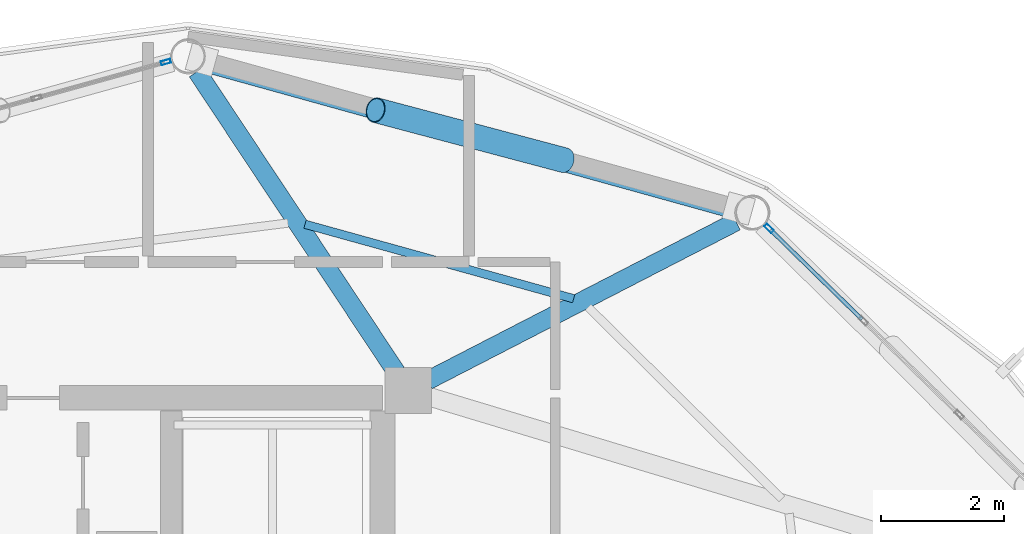
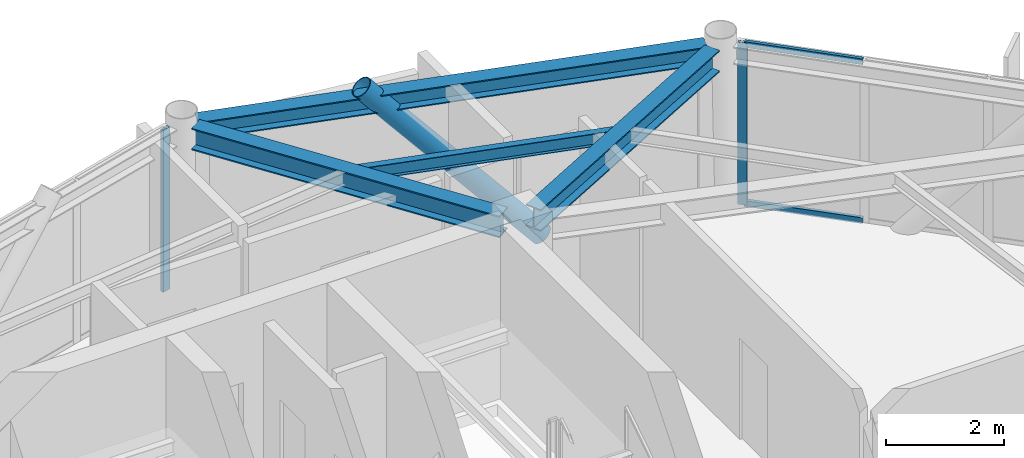
# One storey, part 18 of 25: 5 members, 4 beams, 2 elements without a shape of their own.
"""IFC4 building model written with IfcOpenShell, lengths in metres."""

from ifc_helpers import new_model, si_unit, direction, frame, origin, origin_2d, place, context, subcontext, project, spatial, hollow_rectangle, hollow_circle, i_section, extrude, material, layer, layer_set, material_profile, profile_set, type_object, element, aggregate, save


model = new_model("IFC4")

# Units and contexts
model_context = context("Model", 3, precision=1e-05, world=origin(), true_north=direction((0.0, 1.0)))
body_context = subcontext(model_context, "Body", "Model", "MODEL_VIEW")
ifc_project = project(units=[si_unit("LENGTHUNIT", "METRE"), si_unit("AREAUNIT", "SQUARE_METRE"), si_unit("VOLUMEUNIT", "CUBIC_METRE"), si_unit("PLANEANGLEUNIT", "RADIAN"), si_unit("MASSUNIT", "GRAM", prefix="KILO")], contexts=[model_context])

# Site, building, storey
site_placement = place(None, origin())
site = spatial("IfcSite", under=ifc_project, at=site_placement, CompositionType="ELEMENT")
building_placement = place(site_placement, origin())
building = spatial("IfcBuilding", under=site, at=building_placement, Name="Varnakorn Sky Granary", CompositionType="ELEMENT")
storey_placement = place(building_placement, frame((0.0, 0.0, 252.60009765625)))
storey = spatial("IfcBuildingStorey", under=building, at=storey_placement, Name="L64", CompositionType="ELEMENT", Elevation=252.60009765625)

# Beams
ifc_material_1 = material(Name="Steel S355JR", Category="steel")
ifc_material_profile_1 = material_profile(ifc_material_1, i_section(OverallWidth=0.300048828125, OverallDepth=0.449951171875, WebThickness=0.013916015625, FlangeThickness=0.02587890625, at=origin_2d()), Name="HE 450 B")
ifc_profile_set_1 = profile_set([ifc_material_profile_1], Name="Steel S355JR")
beam_type_1 = type_object("IfcBeamType", Name="BM-RAD-Z5", PredefinedType="BEAM", material=ifc_profile_set_1)
beam_1_placement = place(storey_placement, frame((8.735595703125, 12.78271484375, 3.135009765625), z_axis=(0.888935398432, 0.458032594272, 0.0), x_axis=(-0.458032594272, 0.888935398432, 0.0)))
element("IfcBeam", 1, at=beam_1_placement, inside=storey, type_object=beam_type_1, Name="Radial Floor Girder RG03 L64", PredefinedType="BEAM", context=body_context, shape_type="SweptSolid", body=[
    extrude(i_section(OverallWidth=0.300048828125, OverallDepth=0.449951171875, WebThickness=0.013916015625, FlangeThickness=0.02587890625, at=origin_2d()), origin(), (0.0, 0.0, 1.0), 5.615478515625),
])
beam_2_placement = place(storey_placement, frame((8.223876953125, 12.916015625, 3.135009765625), z_axis=(-0.552586098669, 0.833455819799, 0.0), x_axis=(-0.833455819799, -0.552586098669, 0.0)))
element("IfcBeam", 2, at=beam_2_placement, inside=storey, type_object=beam_type_1, Name="Radial Floor Girder RG04 L64", PredefinedType="BEAM", context=body_context, shape_type="SweptSolid", body=[
    extrude(i_section(OverallWidth=0.300048828125, OverallDepth=0.449951171875, WebThickness=0.013916015625, FlangeThickness=0.02587890625, at=origin_2d()), origin(), (0.0, 0.0, 1.0), 5.84130859375),
])
ifc_material_profile_2 = material_profile(ifc_material_1, i_section(OverallWidth=0.135009765625, OverallDepth=0.27001953125, WebThickness=0.006591796875, FlangeThickness=0.01025390625, at=origin_2d()), Name="IPE 270")
ifc_profile_set_2 = profile_set([ifc_material_profile_2], Name="Steel S355JR")
beam_type_2 = type_object("IfcBeamType", Name="BM-SEC-Z5", PredefinedType="BEAM", material=ifc_profile_set_2)
beam_3_placement = place(storey_placement, frame((11.0966796875, 14.106201171875, 3.224853515625), z_axis=(-0.963648688625, 0.267172612577, 0.0), x_axis=(-0.267172612577, -0.963648688625, 0.0)))
element("IfcBeam", 3, at=beam_3_placement, inside=storey, type_object=beam_type_2, Name="Secondary Floor Chord Beam MSB03 L64", PredefinedType="BEAM", context=body_context, shape_type="SweptSolid", body=[
    extrude(i_section(OverallWidth=0.135009765625, OverallDepth=0.27001953125, WebThickness=0.006591796875, FlangeThickness=0.01025390625, at=origin_2d()), origin(), (0.0, 0.0, 1.0), 4.515869140625),
])
ifc_material_profile_3 = material_profile(ifc_material_1, i_section(OverallWidth=0.300048828125, OverallDepth=0.360107421875, WebThickness=0.012451171875, FlangeThickness=0.0224609375, at=origin_2d()), Name="HE 360 B")
ifc_profile_set_3 = profile_set([ifc_material_profile_3], Name="Steel S355JR")
beam_type_3 = type_object("IfcBeamType", Name="BM-SPD-Z5", PredefinedType="SPANDREL", material=ifc_profile_set_3)
beam_4_placement = place(storey_placement, frame((13.70751953125, 15.546630859375, 3.179931640625), z_axis=(-0.963572738625, 0.267446400946, 0.0), x_axis=(-0.267446400946, -0.963572738625, 0.0)))
element("IfcBeam", 4, at=beam_4_placement, inside=storey, type_object=beam_type_3, Name="Perimeter Spandrel Ring Beam RB03 L64", PredefinedType="SPANDREL", context=body_context, shape_type="SweptSolid", body=[
    extrude(i_section(OverallWidth=0.300048828125, OverallDepth=0.360107421875, WebThickness=0.012451171875, FlangeThickness=0.0224609375, at=origin_2d()), origin(), (0.0, 0.0, 1.0), 8.927734375),
])

# Curtain wall, member
ifc_material_2 = material(Name="Anodised Bronze Aluminium Alloy 6063-T6", Category="aluminium")
ifc_layer = layer(ifc_material_2, 0.159912109375, Name="Anodised Bronze Aluminium Alloy 6063-T6")
ifc_layer_set = layer_set([ifc_layer], Name="Anodised Bronze Aluminium Alloy 6063-T6")
curtain_wall_type = type_object("IfcCurtainWallType", Name="CW-OFF-1", PredefinedType="USERDEFINED", material=ifc_layer_set)
curtain_wall_1_placement = place(storey_placement, origin())
curtain_wall_1 = element("IfcCurtainWall", 5, at=curtain_wall_1_placement, inside=storey, type_object=curtain_wall_type, Name="Unitised Curtain Wall CW6 CW-L64-B02", ObjectType="CURTAIN WALL", PredefinedType="USERDEFINED")
ifc_material_profile_4 = material_profile(ifc_material_2, hollow_rectangle(XDim=0.06494140625, YDim=0.159912109375, WallThickness=0.00341796875, at=origin_2d()), Name="ALU MULL 65x160")
ifc_profile_set_4 = profile_set([ifc_material_profile_4], Name="Anodised Bronze Aluminium Alloy 6063-T6")
member_type_1 = type_object("IfcMemberType", Name="CW-OFF-1-MULL", PredefinedType="MULLION", material=ifc_profile_set_4)
member_1_placement = place(storey_placement, frame((14.26171875, 15.2451171875, 0.0), z_axis=(0.0, 0.0, 1.0), x_axis=(0.699482431072, 0.71464979439, 0.0)))
member_1 = element("IfcMember", 6, at=member_1_placement, type_object=member_type_1, Name="CW6 mullion 1", PredefinedType="MULLION", context=body_context, shape_type="SweptSolid", body=[
    extrude(hollow_rectangle(XDim=0.06494140625, YDim=0.159912109375, WallThickness=0.00341796875, at=origin_2d()), origin(), (0.0, 0.0, 1.0), 3.35986328125),
])

curtain_wall_2_placement = place(storey_placement, origin())
curtain_wall_2 = element("IfcCurtainWall", 7, at=curtain_wall_2_placement, inside=storey, type_object=curtain_wall_type, Name="Unitised Curtain Wall CW6 CW-L64-B04", ObjectType="CURTAIN WALL", PredefinedType="USERDEFINED")
member_2_placement = place(storey_placement, frame((4.491455078125, 17.939697265625, 0.0), z_axis=(0.0, 0.0, 1.0), x_axis=(-0.266982378942, 0.963701410881, 0.0)))
member_2 = element("IfcMember", 8, at=member_2_placement, type_object=member_type_1, Name="CW6 mullion 5", PredefinedType="MULLION", context=body_context, shape_type="SweptSolid", body=[
    extrude(hollow_rectangle(XDim=0.06494140625, YDim=0.159912109375, WallThickness=0.00341796875, at=origin_2d()), origin(), (0.0, 0.0, 1.0), 3.35986328125),
])
aggregate(curtain_wall_2, [member_2])

# Member
ifc_material_profile_5 = material_profile(ifc_material_2, hollow_rectangle(XDim=0.06494140625, YDim=0.1201171875, WallThickness=0.00341796875, at=origin_2d()), Name="ALU TRAN 65x120")
ifc_profile_set_5 = profile_set([ifc_material_profile_5], Name="Anodised Bronze Aluminium Alloy 6063-T6")
member_type_2 = type_object("IfcMemberType", Name="CW-OFF-1-TRAN", PredefinedType="USERDEFINED", material=ifc_profile_set_5)
member_3_placement = place(storey_placement, frame((14.28515625, 15.222412109375, 0.032470703125), z_axis=(0.714597426936, -0.69953593004, 0.0), x_axis=(0.69953593004, 0.714597426936, 0.0)))
member_3 = element("IfcMember", 9, at=member_3_placement, type_object=member_type_2, Name="CW6 transom 1.1", ObjectType="TRANSOM", PredefinedType="USERDEFINED", context=body_context, shape_type="SweptSolid", body=[
    extrude(hollow_rectangle(XDim=0.06494140625, YDim=0.1201171875, WallThickness=0.00341796875, at=origin_2d()), origin(), (0.0, 0.0, 1.0), 2.07470703125),
])

member_4_placement = place(storey_placement, frame((14.28515625, 15.222412109375, 3.327392578125), z_axis=(0.714597426936, -0.69953593004, 0.0), x_axis=(0.69953593004, 0.714597426936, 0.0)))
member_4 = element("IfcMember", 10, at=member_4_placement, type_object=member_type_2, Name="CW6 transom 1.2", ObjectType="TRANSOM", PredefinedType="USERDEFINED", context=body_context, shape_type="SweptSolid", body=[
    extrude(hollow_rectangle(XDim=0.06494140625, YDim=0.1201171875, WallThickness=0.00341796875, at=origin_2d()), origin(), (0.0, 0.0, 1.0), 2.07470703125),
])

aggregate(curtain_wall_1, [member_1, member_3, member_4])

ifc_material_3 = material(Name="Steel S460M", Category="steel")
ifc_material_profile_6 = material_profile(ifc_material_3, hollow_circle(Radius=0.203125, WallThickness=0.01611328125, at=origin_2d()), Name="CHS 406.4x16")
ifc_profile_set_6 = profile_set([ifc_material_profile_6], Name="Steel S460M")
member_type_3 = type_object("IfcMemberType", Name="MB-DIAG-T4", PredefinedType="BRACE", material=ifc_profile_set_6)
member_5_placement = place(storey_placement, frame((10.947265625, 16.349853515625, -0.130126953125), z_axis=(-0.636254702082, 0.168899656413, 0.752763482205), x_axis=(-0.256572909376, -0.966524879232, 0.0)))
element("IfcMember", 11, at=member_5_placement, inside=storey, type_object=member_type_3, Name="Perimeter CHS Diagrid Brace DG03 L64", PredefinedType="BRACE", context=body_context, shape_type="SweptSolid", body=[
    extrude(hollow_circle(Radius=0.203125, WallThickness=0.01611328125, at=origin_2d()), origin(), (0.0, 0.0, 1.0), 4.80908203125),
])

save(model, "model.ifc")
